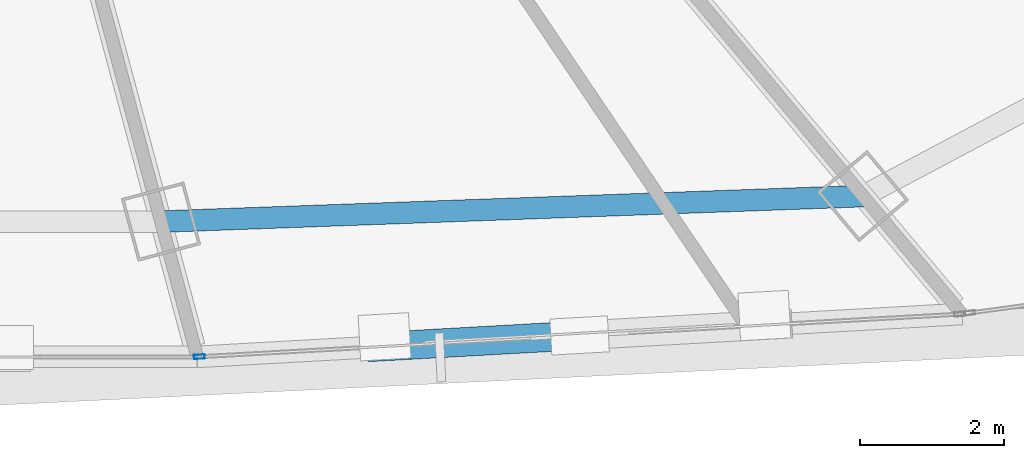
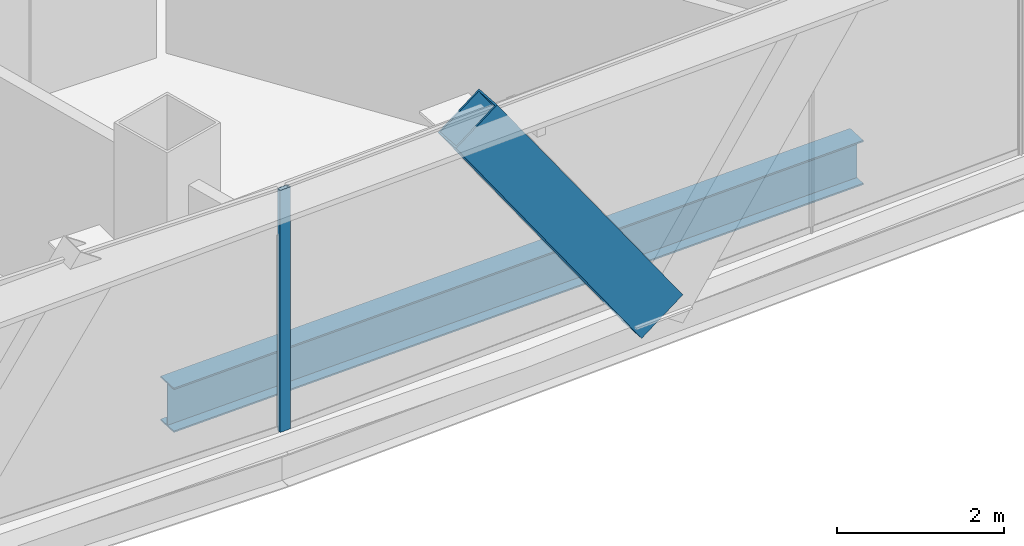
# One storey, part 12 of 37: 2 members, 1 beam, 1 element without a shape of its own.
"""IFC4 building model written with IfcOpenShell, lengths in metres."""

from ifc_helpers import new_model, si_unit, direction, frame, origin, origin_2d, place, context, subcontext, project, spatial, hollow_rectangle, i_section, extrude, source, transform, mapped, material, layer, layer_set, material_profile, profile_set, type_object, element, aggregate, save


model = new_model("IFC4")

# Units and contexts
model_context = context("Model", 3, precision=1e-05, world=origin(), true_north=direction((0.0, 1.0)))
body_context = subcontext(model_context, "Body", "Model", "MODEL_VIEW")
ifc_project = project(units=[si_unit("LENGTHUNIT", "METRE"), si_unit("AREAUNIT", "SQUARE_METRE"), si_unit("VOLUMEUNIT", "CUBIC_METRE"), si_unit("PLANEANGLEUNIT", "RADIAN"), si_unit("MASSUNIT", "GRAM", prefix="KILO"), si_unit("THERMODYNAMICTEMPERATUREUNIT", "KELVIN"), si_unit("POWERUNIT", "WATT")], contexts=[model_context])

# Site, building, storey
site_placement = place(None, origin())
site = spatial("IfcSite", under=ifc_project, at=site_placement, CompositionType="ELEMENT")
building_placement = place(site_placement, origin())
building = spatial("IfcBuilding", under=site, at=building_placement, Name="Yunzhuo Pagoda Commons", CompositionType="ELEMENT")
storey_placement = place(building_placement, frame((0.0, 0.0, 199.9599609375)))
storey = spatial("IfcBuildingStorey", under=building, at=storey_placement, Name="L50", CompositionType="ELEMENT", Elevation=199.9599609375)

# Beam
ifc_material_1 = material(Name="Structural steel Q355B", Category="steel")
ifc_material_profile_1 = material_profile(ifc_material_1, i_section(OverallWidth=0.300048828125, OverallDepth=0.64990234375, WebThickness=0.012939453125, FlangeThickness=0.02197265625, at=origin_2d()), Name="Structural steel Q355B")
ifc_profile_set_1 = profile_set([ifc_material_profile_1], Name="Structural steel Q355B")
beam_type = type_object("IfcBeamType", Name="B-RG2 Beam HN 650x300x13x22", PredefinedType="BEAM", material=ifc_profile_set_1)
shared_shape_1 = source(origin(), body_context, "Body", "SweptSolid", [
    extrude(i_section(OverallWidth=0.300048828125, OverallDepth=0.64990234375, WebThickness=0.012939453125, FlangeThickness=0.02197265625, at=origin_2d()), origin(), (0.0, 0.0, 1.0), 9.754638671875),
])
beam_placement = place(storey_placement, frame((52.712890625, 16.1123046875, -0.5849609375), z_axis=(0.999343095614, 0.036240547032, 0.0), x_axis=(-0.036240547032, 0.999343095614, 0.0)))
element("IfcBeam", 1, at=beam_placement, inside=storey, type_object=beam_type, Name="L50 column-ring beam 3", PredefinedType="BEAM", context=body_context, shape_type="MappedRepresentation", body=[
    mapped(shared_shape_1, transform((0.0, 0.0, 0.0), scale=1.0)),
])

# Member
ifc_material_profile_2 = material_profile(ifc_material_1, hollow_rectangle(XDim=0.39990234375, YDim=0.719970703125, WallThickness=0.02392578125, at=origin_2d()), Name="Structural steel Q355B")
ifc_profile_set_2 = profile_set([ifc_material_profile_2], Name="Structural steel Q355B")
member_type_1 = type_object("IfcMemberType", Name="M-DL2 Brace BOX 720x400x24", PredefinedType="BRACE", material=ifc_profile_set_2)
shared_shape_2 = source(origin(), body_context, "Body", "SweptSolid", [
    extrude(hollow_rectangle(XDim=0.39990234375, YDim=0.719970703125, WallThickness=0.02392578125, at=origin_2d()), origin(), (0.0, 0.0, 1.0), 4.6376953125),
])
member_1_placement = place(storey_placement, frame((58.525390625, 14.53125, -0.260009765625), z_axis=(-0.572371416093, -0.032111336689, 0.819365500919), x_axis=(0.056014189589, -0.99842997279, 0.0)))
element("IfcMember", 2, at=member_1_placement, inside=storey, type_object=member_type_1, Name="L50 facade diamond brace F1.3L", PredefinedType="BRACE", context=body_context, shape_type="MappedRepresentation", body=[
    mapped(shared_shape_2, transform((0.0, 0.0, 0.0), scale=1.0)),
])

# Curtain wall, member
ifc_material_2 = material(Name="Anodized aluminium 6063-T6", Category="aluminium")
ifc_layer = layer(ifc_material_2, 0.14990234375)
ifc_layer_set = layer_set([ifc_layer], Name="Anodized aluminium 6063-T6")
curtain_wall_type = type_object("IfcCurtainWallType", Name="CW-MID Mid-Zone Ribbon Curtain Wall", PredefinedType="NOTDEFINED", material=ifc_layer_set)
curtain_wall_placement = place(storey_placement, origin())
curtain_wall = element("IfcCurtainWall", 3, at=curtain_wall_placement, inside=storey, type_object=curtain_wall_type, Name="L50 curtain wall CW-L50-F1B4", PredefinedType="NOTDEFINED")
ifc_material_profile_3 = material_profile(ifc_material_2, hollow_rectangle(XDim=0.06005859375, YDim=0.14990234375, WallThickness=0.00390625, at=origin_2d()), Name="Anodized aluminium 6063-T6")
ifc_profile_set_3 = profile_set([ifc_material_profile_3], Name="Anodized aluminium 6063-T6")
member_type_2 = type_object("IfcMemberType", Name="CW-MID-M Mullion RHS 150x60x4", PredefinedType="MULLION", material=ifc_profile_set_3)
shared_shape_3 = source(origin(), body_context, "Body", "SweptSolid", [
    extrude(hollow_rectangle(XDim=0.06005859375, YDim=0.14990234375, WallThickness=0.00390625, at=origin_2d()), origin(), (0.0, 0.0, 1.0), 3.5400390625),
])
member_2_placement = place(storey_placement, frame((53.245849609375, 14.2353515625, 0.0), z_axis=(0.0, 0.0, 1.0), x_axis=(-0.055982959182, 0.998431724396, 0.0)))
member_2 = element("IfcMember", 4, at=member_2_placement, type_object=member_type_2, Name="CW mullion 1", PredefinedType="MULLION", context=body_context, shape_type="MappedRepresentation", body=[
    mapped(shared_shape_3, transform((0.0, 0.0, 0.0), scale=1.0)),
])
aggregate(curtain_wall, [member_2])

save(model, "model.ifc")
